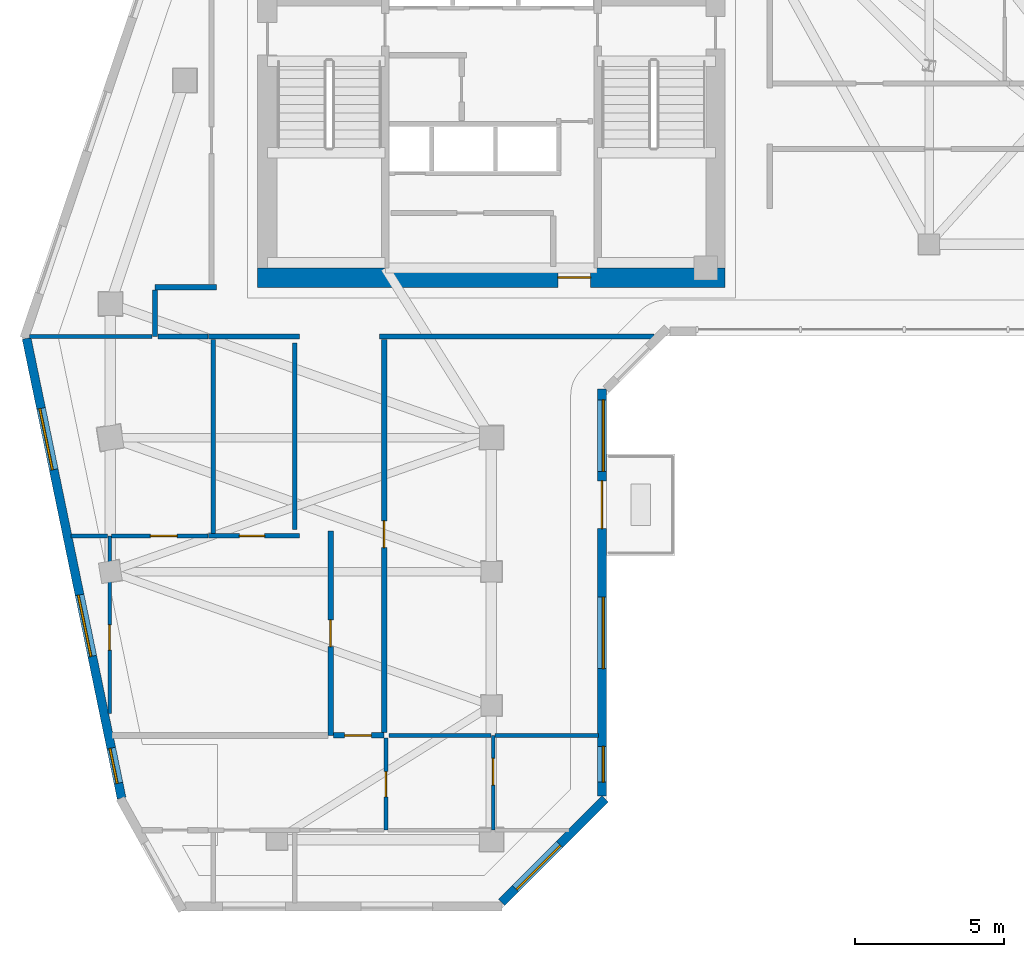
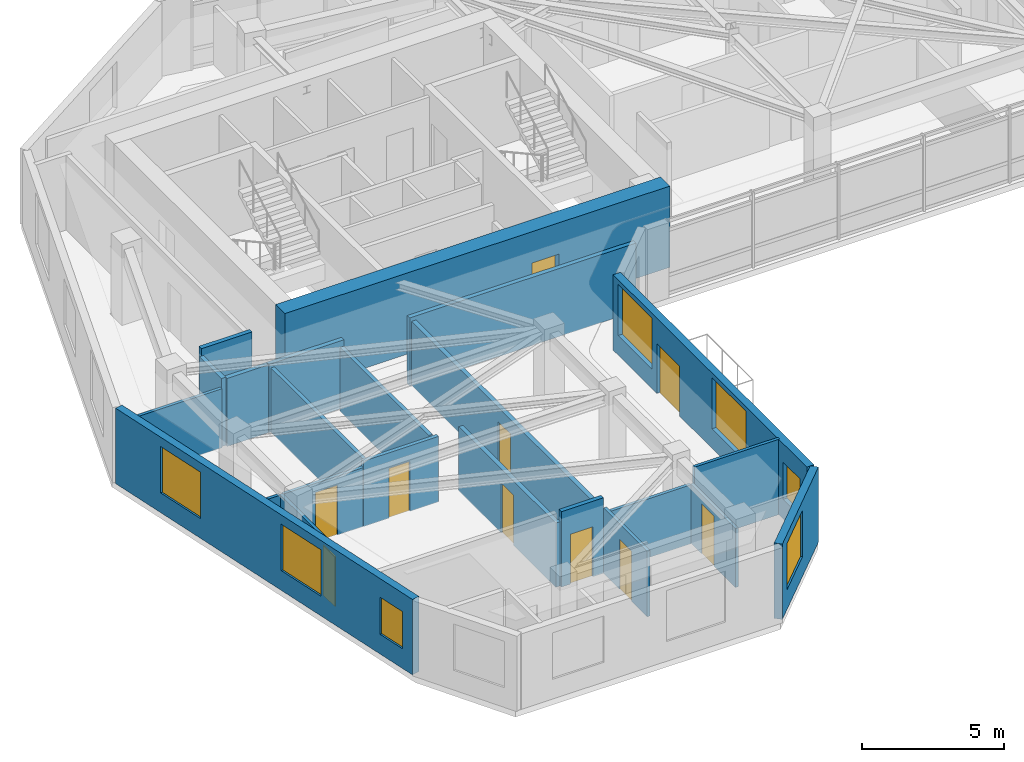
# One storey, part 4 of 10: 23 walls, 10 doors, 7 windows, 17 openings.
"""IFC4 building model written with IfcOpenShell, lengths in metres."""

from ifc_helpers import new_model, si_unit, direction, frame, frame_2d, origin, place, context, subcontext, project, spatial, rectangle, extrude, source, transform, mapped, material, layer, layer_set, type_object, element, fill, save


model = new_model("IFC4")

# Units and contexts
model_context = context("Model", 3, precision=1e-05, world=origin(), true_north=direction((0.0, 1.0)))
body_context = subcontext(model_context, "Body", "Model", "MODEL_VIEW")
ifc_project = project(units=[si_unit("LENGTHUNIT", "METRE"), si_unit("AREAUNIT", "SQUARE_METRE"), si_unit("VOLUMEUNIT", "CUBIC_METRE"), si_unit("PLANEANGLEUNIT", "RADIAN"), si_unit("MASSUNIT", "GRAM", prefix="KILO")], contexts=[model_context])

# Site, building, storey
site_placement = place(None, origin())
site = spatial("IfcSite", under=ifc_project, at=site_placement, CompositionType="ELEMENT")
building_placement = place(site_placement, origin())
building = spatial("IfcBuilding", under=site, at=building_placement, Name="Calvemar Wedge Station Tower", CompositionType="ELEMENT")
storey_placement = place(building_placement, frame((0.0, 0.0, 200.89990234375)))
storey = spatial("IfcBuildingStorey", under=building, at=storey_placement, Name="L50", CompositionType="ELEMENT", Elevation=200.89990234375)

# Wall, opening, door
ifc_material_1 = material(Name="Concrete C60", Category="concrete")
ifc_layer_1 = layer(ifc_material_1, 0.64990234375)
ifc_layer_set_1 = layer_set([ifc_layer_1], Name="Concrete C60")
wall_type_1 = type_object("IfcWallType", Name="SW-CORE-650", PredefinedType="SHEAR", material=ifc_layer_set_1)
wall_1_placement = place(storey_placement, frame((15.949951171875, 33.875, 0.0), z_axis=(0.0, 0.0, 1.0), x_axis=(1.0, 0.0, 0.0)))
wall_1 = element("IfcWall", 1, at=wall_1_placement, inside=storey, type_object=wall_type_1, Name="Storey L50 Core Shear Wall S", PredefinedType="SHEAR", context=body_context, shape_type="SweptSolid", body=[
    extrude(rectangle(XDim=15.699951171875, YDim=0.64990234375, at=frame_2d((7.85009765625, 0.0))), origin(), (0.0, 0.0, 1.0), 3.5),
])
shared_shape_1 = source(origin(), body_context, "Body", "SweptSolid", [
    extrude(rectangle(XDim=1.10009765625, YDim=2.14990234375, at=frame_2d((0.550048828125, 1.074951171875))), frame((0.0, 0.3349609375, 0.0), z_axis=(0.0, -1.0, 0.0), x_axis=(1.0, 0.0, 0.0)), (0.0, 0.0, 1.0), 0.669921875),
])
opening_1_placement = place(wall_1_placement, frame((10.080078125, 0.0, 0.0)))
opening_1 = element("IfcOpeningElement", 2, at=opening_1_placement, cuts=wall_1, Name="Opening FD-90", PredefinedType="OPENING", context=body_context, shape_type="MappedRepresentation", body=[
    mapped(shared_shape_1, transform((0.0, 0.0, 0.0), scale=1.0)),
])
ifc_material_2 = material(Name="Galvanized fire-rated steel door leaf P-90", Category="steel")
door_type_1 = type_object("IfcDoorType", Name="DR-FD90-1100", OperationType="NOTDEFINED", PredefinedType="DOOR", material=ifc_material_2)
shared_shape_2 = source(origin(), body_context, "Body", "SweptSolid", [
    extrude(rectangle(XDim=1.10009765625, YDim=2.14990234375, at=frame_2d((0.550048828125, 1.074951171875))), frame((0.0, 0.02490234375, 0.0), z_axis=(0.0, -1.0, 0.0), x_axis=(1.0, 0.0, 0.0)), (0.0, 0.0, 1.0), 0.050048828125),
])
door_1_placement = place(opening_1_placement, origin())
door_1 = element("IfcDoor", 3, at=door_1_placement, inside=storey, type_object=door_type_1, Name="L50 Passenger Lift Lobby Door", OperationType="SINGLE_SWING_LEFT", OverallHeight=2.14990234375, OverallWidth=1.10009765625, PredefinedType="DOOR", context=body_context, shape_type="MappedRepresentation", body=[
    mapped(shared_shape_2, transform((0.0, 0.0, 0.0), scale=1.0)),
])
fill(opening_1, door_1)

# Walls
ifc_material_3 = material(Name="Double-stud fire-rated corridor partition")
ifc_layer_2 = layer(ifc_material_3, 0.179931640625)
ifc_layer_set_2 = layer_set([ifc_layer_2], Name="Double-stud fire-rated corridor partition")
wall_type_2 = type_object("IfcWallType", Name="W-CORR-180", PredefinedType="PARTITIONING", material=ifc_layer_set_2)
wall_2_placement = place(storey_placement, frame((12.5, 33.550048828125, 0.0), z_axis=(0.0, 0.0, 1.0), x_axis=(1.0, 0.0, 0.0)))
element("IfcWall", 4, at=wall_2_placement, inside=storey, type_object=wall_type_2, Name="Storey L50 Interior Partition WL-L50-006", PredefinedType="PARTITIONING", context=body_context, shape_type="SweptSolid", body=[
    extrude(rectangle(XDim=2.06005859375, YDim=0.179931640625, at=frame_2d((1.030029296875, 0.0))), origin(), (0.0, 0.0, 1.0), 3.25),
])
wall_3_placement = place(storey_placement, frame((12.5, 31.89990234375, 0.0), z_axis=(0.0, 0.0, 1.0), x_axis=(0.0, 1.0, 0.0)))
element("IfcWall", 5, at=wall_3_placement, inside=storey, type_object=wall_type_2, Name="Storey L50 Interior Partition WL-L50-007", PredefinedType="PARTITIONING", context=body_context, shape_type="SweptSolid", body=[
    extrude(rectangle(XDim=1.55615234375, YDim=0.179931640625, at=frame_2d((0.778076171875, 0.0))), origin(), (0.0, 0.0, 1.0), 2.93408203125),
])
wall_4_placement = place(storey_placement, frame((17.360107421875, 31.89990234375, 0.0), z_axis=(0.0, 0.0, 1.0), x_axis=(-1.0, 0.0, 0.0)))
element("IfcWall", 6, at=wall_4_placement, inside=storey, type_object=wall_type_2, Name="Storey L50 Interior Partition WL-L50-008", PredefinedType="PARTITIONING", context=body_context, shape_type="SweptSolid", body=[
    extrude(rectangle(XDim=3.070068359375, YDim=0.179931640625, at=frame_2d((1.53515625, 0.0))), origin(), (0.0, 0.0, 1.0), 2.93408203125),
])
wall_5_placement = place(storey_placement, frame((14.2880859375, 31.89990234375, 0.0), z_axis=(0.0, 0.0, 1.0), x_axis=(-1.0, 0.0, 0.0)))
element("IfcWall", 7, at=wall_5_placement, inside=storey, type_object=wall_type_2, Name="Storey L50 Interior Partition WL-L50-009", PredefinedType="PARTITIONING", context=body_context, shape_type="SweptSolid", body=[
    extrude(rectangle(XDim=1.694091796875, YDim=0.179931640625, at=frame_2d((0.84716796875, 0.0))), origin(), (0.0, 0.0, 1.0), 2.93408203125),
])
wall_6_placement = place(storey_placement, frame((29.26513671875, 31.89990234375, 0.0), z_axis=(0.0, 0.0, 1.0), x_axis=(-1.0, 0.0, 0.0)))
element("IfcWall", 8, at=wall_6_placement, inside=storey, type_object=wall_type_2, Name="Storey L50 Interior Partition WL-L50-010", PredefinedType="PARTITIONING", context=body_context, shape_type="SweptSolid", body=[
    extrude(rectangle(XDim=9.22509765625, YDim=0.179931640625, at=frame_2d((4.612548828125, 0.0))), origin(), (0.0, 0.0, 1.0), 2.93408203125),
])

# Wall, opening, door
wall_7_placement = place(storey_placement, frame((18.39990234375, 18.5, 0.0), z_axis=(0.0, 0.0, 1.0), x_axis=(0.0, 1.0, 0.0)))
wall_7 = element("IfcWall", 9, at=wall_7_placement, inside=storey, type_object=wall_type_2, Name="Storey L50 Interior Partition WL-L50-050", PredefinedType="PARTITIONING", context=body_context, shape_type="SweptSolid", body=[
    extrude(rectangle(XDim=6.860107421875, YDim=0.179931640625, at=frame_2d((3.43017578125, 0.0))), origin(), (0.0, 0.0, 1.0), 2.76611328125),
])
shared_shape_3 = source(origin(), body_context, "Body", "SweptSolid", [
    extrude(rectangle(XDim=0.89990234375, YDim=2.14990234375, at=frame_2d((0.449951171875, 1.074951171875))), frame((0.0, 0.10009765625, 0.0), z_axis=(0.0, -1.0, 0.0), x_axis=(1.0, 0.0, 0.0)), (0.0, 0.0, 1.0), 0.199951171875),
])
opening_2_placement = place(wall_7_placement, frame((2.97998046875, 0.0, 0.0)))
opening_2 = element("IfcOpeningElement", 10, at=opening_2_placement, cuts=wall_7, Name="Opening FD-60", PredefinedType="OPENING", context=body_context, shape_type="MappedRepresentation", body=[
    mapped(shared_shape_3, transform((0.0, 0.0, 0.0), scale=1.0)),
])
ifc_material_4 = material(Name="Fire-rated acoustic timber-core entrance door EI 60", Category="wood")
door_type_2 = type_object("IfcDoorType", Name="DR-FD60-900", OperationType="NOTDEFINED", PredefinedType="DOOR", material=ifc_material_4)
shared_shape_4 = source(origin(), body_context, "Body", "SweptSolid", [
    extrude(rectangle(XDim=0.89990234375, YDim=2.14990234375, at=frame_2d((0.449951171875, 1.074951171875))), frame((0.0, 0.02490234375, 0.0), z_axis=(0.0, -1.0, 0.0), x_axis=(1.0, 0.0, 0.0)), (0.0, 0.0, 1.0), 0.050048828125),
])
door_2_placement = place(opening_2_placement, origin())
door_2 = element("IfcDoor", 11, at=door_2_placement, inside=storey, type_object=door_type_2, Name="L50 Living Dining Door", OperationType="SINGLE_SWING_LEFT", OverallHeight=2.14990234375, OverallWidth=0.89990234375, PredefinedType="DOOR", context=body_context, shape_type="MappedRepresentation", body=[
    mapped(shared_shape_4, transform((0.0, 0.0, 0.0), scale=1.0)),
])
fill(opening_2, door_2)

wall_8_placement = place(storey_placement, frame((20.199951171875, 18.5, 0.0), z_axis=(0.0, 0.0, 1.0), x_axis=(-1.0, 0.0, 0.0)))
wall_8 = element("IfcWall", 12, at=wall_8_placement, inside=storey, type_object=wall_type_2, Name="Storey L50 Interior Partition WL-L50-051", PredefinedType="PARTITIONING", context=body_context, shape_type="SweptSolid", body=[
    extrude(rectangle(XDim=1.7060546875, YDim=0.179931640625, at=frame_2d((0.85302734375, 0.0))), origin(), (0.0, 0.0, 1.0), 3.25),
])
opening_3_placement = place(wall_8_placement, frame((0.43359375, 0.0, 0.0)))
opening_3 = element("IfcOpeningElement", 13, at=opening_3_placement, cuts=wall_8, Name="Opening FD-60", PredefinedType="OPENING", context=body_context, shape_type="MappedRepresentation", body=[
    mapped(shared_shape_3, transform((0.0, 0.0, 0.0), scale=1.0)),
])
door_3_placement = place(opening_3_placement, origin())
door_3 = element("IfcDoor", 14, at=door_3_placement, inside=storey, type_object=door_type_2, Name="L50 Living Dining Door", OperationType="SINGLE_SWING_RIGHT", OverallHeight=2.14990234375, OverallWidth=0.89990234375, PredefinedType="DOOR", context=body_context, shape_type="MappedRepresentation", body=[
    mapped(shared_shape_4, transform((0.0, 0.0, 0.0), scale=1.0)),
])
fill(opening_3, door_3)

wall_9_placement = place(storey_placement, frame((20.199951171875, 31.805908203125, 0.0), z_axis=(0.0, 0.0, 1.0), x_axis=(0.0, -1.0, 0.0)))
wall_9 = element("IfcWall", 15, at=wall_9_placement, inside=storey, type_object=wall_type_2, Name="Storey L50 Interior Partition WL-L50-052", PredefinedType="PARTITIONING", context=body_context, shape_type="SweptSolid", body=[
    extrude(rectangle(XDim=13.2119140625, YDim=0.179931640625, at=frame_2d((6.60595703125, 0.0))), origin(), (0.0, 0.0, 1.0), 2.76611328125),
])
opening_4_placement = place(wall_9_placement, frame((6.095458984375, 0.0, 0.0)))
opening_4 = element("IfcOpeningElement", 16, at=opening_4_placement, cuts=wall_9, Name="Opening D-01", PredefinedType="OPENING", context=body_context, shape_type="MappedRepresentation", body=[
    mapped(shared_shape_3, transform((0.0, 0.0, 0.0), scale=1.0)),
])
ifc_material_5 = material(Name="Architectural hardwood acoustic swing door", Category="wood")
door_type_3 = type_object("IfcDoorType", Name="DR-INT-900", OperationType="NOTDEFINED", PredefinedType="DOOR", material=ifc_material_5)
shared_shape_5 = source(origin(), body_context, "Body", "SweptSolid", [
    extrude(rectangle(XDim=0.89990234375, YDim=2.14990234375, at=frame_2d((0.449951171875, 1.074951171875))), frame((0.0, 0.02490234375, 0.0), z_axis=(0.0, -1.0, 0.0), x_axis=(1.0, 0.0, 0.0)), (0.0, 0.0, 1.0), 0.050048828125),
])
door_4_placement = place(opening_4_placement, origin())
door_4 = element("IfcDoor", 17, at=door_4_placement, inside=storey, type_object=door_type_3, Name="L50 Resident Study Lounge Door", OperationType="SINGLE_SWING_LEFT", OverallHeight=2.14990234375, OverallWidth=0.89990234375, PredefinedType="DOOR", context=body_context, shape_type="MappedRepresentation", body=[
    mapped(shared_shape_5, transform((0.0, 0.0, 0.0), scale=1.0)),
])
fill(opening_4, door_4)

# Wall, opening, window
ifc_material_6 = material(Name="Precast concrete C45", Category="concrete")
ifc_layer_3 = layer(ifc_material_6, 0.300048828125)
ifc_layer_set_3 = layer_set([ifc_layer_3], Name="Precast concrete C45")
wall_type_3 = type_object("IfcWallType", Name="W-EXT-GFRC-300", PredefinedType="SOLIDWALL", material=ifc_layer_set_3)
wall_10_placement = place(storey_placement, frame((24.139892578125, 12.887939453125, 0.0), z_axis=(0.0, 0.0, 1.0), x_axis=(0.707106781187, 0.707106781187, 0.0)))
wall_10 = element("IfcWall", 18, at=wall_10_placement, inside=storey, type_object=wall_type_3, Name="Storey L50 Bronze GFRC Exterior Wall 3", PredefinedType="SOLIDWALL", context=body_context, shape_type="SweptSolid", body=[
    extrude(rectangle(XDim=4.921875, YDim=0.300048828125, at=frame_2d((2.4609375, 0.0))), origin(), (0.0, 0.0, 1.0), 3.25),
])
shared_shape_6 = source(origin(), body_context, "Body", "SweptSolid", [
    extrude(rectangle(XDim=2.10009765625, YDim=2.0, at=frame_2d((1.050048828125, 1.0))), frame((0.0, 0.16015625, 0.0), z_axis=(0.0, -1.0, 0.0), x_axis=(1.0, 0.0, 0.0)), (0.0, 0.0, 1.0), 0.320068359375),
])
opening_5_placement = place(wall_10_placement, frame((0.658935546875, 0.0, 0.85009765625)))
opening_5 = element("IfcOpeningElement", 19, at=opening_5_placement, cuts=wall_10, Name="Opening W4", PredefinedType="OPENING", context=body_context, shape_type="MappedRepresentation", body=[
    mapped(shared_shape_6, transform((0.0, 0.0, 0.0), scale=1.0)),
])
ifc_material_7 = material(Name="Low-E laminated insulated glass", Category="glass")
window_type_1 = type_object("IfcWindowType", Name="WIN-EXT-4", PartitioningType="SINGLE_PANEL", PredefinedType="WINDOW", material=ifc_material_7)
shared_shape_7 = source(origin(), body_context, "Body", "SweptSolid", [
    extrude(rectangle(XDim=2.10009765625, YDim=2.0, at=frame_2d((1.050048828125, 1.0))), frame((0.0, -0.014892578125, 0.0), z_axis=(0.0, -1.0, 0.0), x_axis=(1.0, 0.0, 0.0)), (0.0, 0.0, 1.0), 0.06005859375),
])
window_1_placement = place(opening_5_placement, origin())
window_1 = element("IfcWindow", 20, at=window_1_placement, inside=storey, type_object=window_type_1, Name="Storey L50 Recessed Window 3.1", OverallHeight=2.0, OverallWidth=2.10009765625, PartitioningType="SINGLE_PANEL", PredefinedType="WINDOW", context=body_context, shape_type="MappedRepresentation", body=[
    mapped(shared_shape_7, transform((0.0, 0.0, 0.0), scale=1.0)),
])
fill(opening_5, window_1)

# Wall, openings, windows, door
wall_11_placement = place(storey_placement, frame((27.513916015625, 16.457275390625, 0.0), z_axis=(0.0, 0.0, 1.0), x_axis=(0.0, 1.0, 0.0)))
wall_11 = element("IfcWall", 21, at=wall_11_placement, inside=storey, type_object=wall_type_3, Name="Storey L50 Bronze GFRC Exterior Wall 4", PredefinedType="SOLIDWALL", context=body_context, shape_type="SweptSolid", body=[
    extrude(rectangle(XDim=13.6787109375, YDim=0.300048828125, at=frame_2d((6.83935546875, 0.0))), origin(), (0.0, 0.0, 1.0), 3.25),
])
shared_shape_8 = source(origin(), body_context, "Body", "SweptSolid", [
    extrude(rectangle(XDim=1.60009765625, YDim=2.14990234375, at=frame_2d((0.800048828125, 1.074951171875))), frame((0.0, 0.16015625, 0.0), z_axis=(0.0, -1.0, 0.0), x_axis=(1.0, 0.0, 0.0)), (0.0, 0.0, 1.0), 0.320068359375),
])
opening_6_placement = place(wall_11_placement, frame((8.992919921875, 0.0, 0.0)))
opening_6 = element("IfcOpeningElement", 22, at=opening_6_placement, cuts=wall_11, Name="Opening DT1", PredefinedType="OPENING", context=body_context, shape_type="MappedRepresentation", body=[
    mapped(shared_shape_8, transform((0.0, 0.0, 0.0), scale=1.0)),
])
shared_shape_9 = source(origin(), body_context, "Body", "SweptSolid", [
    extrude(rectangle(XDim=1.199951171875, YDim=1.60009765625, at=frame_2d((0.60009765625, 0.800048828125))), frame((0.0, 0.16015625, 0.0), z_axis=(0.0, -1.0, 0.0), x_axis=(1.0, 0.0, 0.0)), (0.0, 0.0, 1.0), 0.320068359375),
])
opening_7_placement = place(wall_11_placement, frame((0.470947265625, 0.0, 0.85009765625)))
opening_7 = element("IfcOpeningElement", 23, at=opening_7_placement, cuts=wall_11, Name="Opening W5", PredefinedType="OPENING", context=body_context, shape_type="MappedRepresentation", body=[
    mapped(shared_shape_9, transform((0.0, 0.0, 0.0), scale=1.0)),
])
shared_shape_10 = source(origin(), body_context, "Body", "SweptSolid", [
    extrude(rectangle(XDim=2.39990234375, YDim=2.199951171875, at=frame_2d((1.199951171875, 1.10009765625))), frame((0.0, 0.16015625, 0.0), z_axis=(0.0, -1.0, 0.0), x_axis=(1.0, 0.0, 0.0)), (0.0, 0.0, 1.0), 0.320068359375),
])
opening_8_placement = place(wall_11_placement, frame((4.2880859375, 0.0, 0.85009765625)))
opening_8 = element("IfcOpeningElement", 24, at=opening_8_placement, cuts=wall_11, Name="Opening W1", PredefinedType="OPENING", context=body_context, shape_type="MappedRepresentation", body=[
    mapped(shared_shape_10, transform((0.0, 0.0, 0.0), scale=1.0)),
])
opening_9_placement = place(wall_11_placement, frame((10.916015625, 0.0, 0.85009765625)))
opening_9 = element("IfcOpeningElement", 25, at=opening_9_placement, cuts=wall_11, Name="Opening W1", PredefinedType="OPENING", context=body_context, shape_type="MappedRepresentation", body=[
    mapped(shared_shape_10, transform((0.0, 0.0, 0.0), scale=1.0)),
])
window_type_2 = type_object("IfcWindowType", Name="WIN-EXT-1", PartitioningType="SINGLE_PANEL", PredefinedType="WINDOW", material=ifc_material_7)
shared_shape_11 = source(origin(), body_context, "Body", "SweptSolid", [
    extrude(rectangle(XDim=2.39990234375, YDim=2.199951171875, at=frame_2d((1.199951171875, 1.10009765625))), frame((0.0, -0.014892578125, 0.0), z_axis=(0.0, -1.0, 0.0), x_axis=(1.0, 0.0, 0.0)), (0.0, 0.0, 1.0), 0.06005859375),
])
window_2_placement = place(opening_8_placement, origin())
window_2 = element("IfcWindow", 26, at=window_2_placement, inside=storey, type_object=window_type_2, Name="Storey L50 Recessed Window 4.2", OverallHeight=2.199951171875, OverallWidth=2.39990234375, PartitioningType="SINGLE_PANEL", PredefinedType="WINDOW", context=body_context, shape_type="MappedRepresentation", body=[
    mapped(shared_shape_11, transform((0.0, 0.0, 0.0), scale=1.0)),
])
fill(opening_8, window_2)
window_3_placement = place(opening_9_placement, origin())
window_3 = element("IfcWindow", 27, at=window_3_placement, inside=storey, type_object=window_type_2, Name="Storey L50 Recessed Window 4.3", OverallHeight=2.199951171875, OverallWidth=2.39990234375, PartitioningType="SINGLE_PANEL", PredefinedType="WINDOW", context=body_context, shape_type="MappedRepresentation", body=[
    mapped(shared_shape_11, transform((0.0, 0.0, 0.0), scale=1.0)),
])
fill(opening_9, window_3)
ifc_material_8 = material(Name="Anodised aluminium 6063-T6", Category="aluminium")
door_type_4 = type_object("IfcDoorType", Name="DR-TERR-1600", OperationType="DOUBLE_DOOR_SLIDING", PredefinedType="DOOR", material=ifc_material_8)
shared_shape_12 = source(origin(), body_context, "Body", "SweptSolid", [
    extrude(rectangle(XDim=1.60009765625, YDim=2.14990234375, at=frame_2d((0.800048828125, 1.074951171875))), frame((0.0, 0.02490234375, 0.0), z_axis=(0.0, -1.0, 0.0), x_axis=(1.0, 0.0, 0.0)), (0.0, 0.0, 1.0), 0.050048828125),
])
door_5_placement = place(opening_6_placement, origin())
door_5 = element("IfcDoor", 28, at=door_5_placement, inside=storey, type_object=door_type_4, Name="Storey L50 Spiral Terrace Door", OperationType="DOUBLE_DOOR_SLIDING", OverallHeight=2.14990234375, OverallWidth=1.60009765625, PredefinedType="DOOR", context=body_context, shape_type="MappedRepresentation", body=[
    mapped(shared_shape_12, transform((0.0, 0.0, 0.0), scale=1.0)),
])
fill(opening_6, door_5)
window_type_3 = type_object("IfcWindowType", Name="WIN-EXT-5", PartitioningType="SINGLE_PANEL", PredefinedType="WINDOW", material=ifc_material_7)
shared_shape_13 = source(origin(), body_context, "Body", "SweptSolid", [
    extrude(rectangle(XDim=1.199951171875, YDim=1.60009765625, at=frame_2d((0.60009765625, 0.800048828125))), frame((0.0, -0.014892578125, 0.0), z_axis=(0.0, -1.0, 0.0), x_axis=(1.0, 0.0, 0.0)), (0.0, 0.0, 1.0), 0.06005859375),
])
window_4_placement = place(opening_7_placement, origin())
window_4 = element("IfcWindow", 29, at=window_4_placement, inside=storey, type_object=window_type_3, Name="Storey L50 Recessed Window 4.1", OverallHeight=1.60009765625, OverallWidth=1.199951171875, PartitioningType="SINGLE_PANEL", PredefinedType="WINDOW", context=body_context, shape_type="MappedRepresentation", body=[
    mapped(shared_shape_13, transform((0.0, 0.0, 0.0), scale=1.0)),
])
fill(opening_7, window_4)

# Wall, openings, windows
wall_12_placement = place(storey_placement, frame((8.1875, 31.833984375, 0.0), z_axis=(0.0, 0.0, 1.0), x_axis=(0.202303475707, -0.979322880217, 0.0)))
wall_12 = element("IfcWall", 30, at=wall_12_placement, inside=storey, type_object=wall_type_3, Name="Storey L50 Bronze GFRC Exterior Wall 13", PredefinedType="SOLIDWALL", context=body_context, shape_type="SweptSolid", body=[
    extrude(rectangle(XDim=15.765625, YDim=0.300048828125, at=frame_2d((7.8828125, 0.0))), origin(), (0.0, 0.0, 1.0), 3.25),
])
opening_10_placement = place(wall_12_placement, frame((2.39892578125, 0.0, 0.85009765625)))
opening_10 = element("IfcOpeningElement", 31, at=opening_10_placement, cuts=wall_12, Name="Opening W4", PredefinedType="OPENING", context=body_context, shape_type="MappedRepresentation", body=[
    mapped(shared_shape_6, transform((0.0, 0.0, 0.0), scale=1.0)),
])
opening_11_placement = place(wall_12_placement, frame((8.798095703125, 0.0, 0.85009765625)))
opening_11 = element("IfcOpeningElement", 32, at=opening_11_placement, cuts=wall_12, Name="Opening W4", PredefinedType="OPENING", context=body_context, shape_type="MappedRepresentation", body=[
    mapped(shared_shape_6, transform((0.0, 0.0, 0.0), scale=1.0)),
])
opening_12_placement = place(wall_12_placement, frame((14.052001953125, 0.0, 0.85009765625)))
opening_12 = element("IfcOpeningElement", 33, at=opening_12_placement, cuts=wall_12, Name="Opening W5", PredefinedType="OPENING", context=body_context, shape_type="MappedRepresentation", body=[
    mapped(shared_shape_9, transform((0.0, 0.0, 0.0), scale=1.0)),
])
window_5_placement = place(opening_10_placement, origin())
window_5 = element("IfcWindow", 34, at=window_5_placement, inside=storey, type_object=window_type_1, Name="Storey L50 Recessed Window 13.1", OverallHeight=2.0, OverallWidth=2.10009765625, PartitioningType="SINGLE_PANEL", PredefinedType="WINDOW", context=body_context, shape_type="MappedRepresentation", body=[
    mapped(shared_shape_7, transform((0.0, 0.0, 0.0), scale=1.0)),
])
fill(opening_10, window_5)
window_6_placement = place(opening_11_placement, origin())
window_6 = element("IfcWindow", 35, at=window_6_placement, inside=storey, type_object=window_type_1, Name="Storey L50 Recessed Window 13.2", OverallHeight=2.0, OverallWidth=2.10009765625, PartitioningType="SINGLE_PANEL", PredefinedType="WINDOW", context=body_context, shape_type="MappedRepresentation", body=[
    mapped(shared_shape_7, transform((0.0, 0.0, 0.0), scale=1.0)),
])
fill(opening_11, window_6)
window_7_placement = place(opening_12_placement, origin())
window_7 = element("IfcWindow", 36, at=window_7_placement, inside=storey, type_object=window_type_3, Name="Storey L50 Recessed Window 13.3", OverallHeight=1.60009765625, OverallWidth=1.199951171875, PartitioningType="SINGLE_PANEL", PredefinedType="WINDOW", context=body_context, shape_type="MappedRepresentation", body=[
    mapped(shared_shape_13, transform((0.0, 0.0, 0.0), scale=1.0)),
])
fill(opening_12, window_7)

# Wall
ifc_material_9 = material(Name="Insulated acoustic gypsum stud partition")
ifc_layer_4 = layer(ifc_material_9, 0.125)
ifc_layer_set_4 = layer_set([ifc_layer_4], Name="Insulated acoustic gypsum stud partition")
wall_type_4 = type_object("IfcWallType", Name="W-PART-125", PredefinedType="PARTITIONING", material=ifc_layer_set_4)
wall_13_placement = place(storey_placement, frame((12.406005859375, 31.89990234375, 0.0), z_axis=(0.0, 0.0, 1.0), x_axis=(-1.0, 0.0, 0.0)))
element("IfcWall", 37, at=wall_13_placement, inside=storey, type_object=wall_type_4, Name="Storey L50 Interior Partition WL-L50-020", PredefinedType="PARTITIONING", context=body_context, shape_type="SweptSolid", body=[
    extrude(rectangle(XDim=4.11474609375, YDim=0.125, at=frame_2d((2.057373046875, 0.0))), origin(), (0.0, 0.0, 1.0), 2.5419921875),
])

# Wall, opening, door
wall_14_placement = place(storey_placement, frame((10.97802734375, 19.240234375, 0.0), z_axis=(0.0, 0.0, 1.0), x_axis=(0.0, 1.0, 0.0)))
wall_14 = element("IfcWall", 38, at=wall_14_placement, inside=storey, type_object=wall_type_4, Name="Storey L50 Interior Partition WL-L50-053", PredefinedType="PARTITIONING", context=body_context, shape_type="SweptSolid", body=[
    extrude(rectangle(XDim=5.959716796875, YDim=0.125, at=frame_2d((2.97998046875, 0.0))), origin(), (0.0, 0.0, 1.0), 2.5419921875),
])
shared_shape_14 = source(origin(), body_context, "Body", "SweptSolid", [
    extrude(rectangle(XDim=0.85009765625, YDim=2.14990234375, at=frame_2d((0.425048828125, 1.074951171875))), frame((0.0, 0.072509765625, 0.0), z_axis=(0.0, -1.0, 0.0), x_axis=(1.0, 0.0, 0.0)), (0.0, 0.0, 1.0), 0.14501953125),
])
opening_13_placement = place(wall_14_placement, frame((2.12451171875, 0.0, 0.0)))
opening_13 = element("IfcOpeningElement", 39, at=opening_13_placement, cuts=wall_14, Name="Opening D-02", PredefinedType="OPENING", context=body_context, shape_type="MappedRepresentation", body=[
    mapped(shared_shape_14, transform((0.0, 0.0, 0.0), scale=1.0)),
])
ifc_material_10 = material(Name="Moisture-sealed bathroom hardwood swing door", Category="wood")
door_type_5 = type_object("IfcDoorType", Name="DR-WET-850", OperationType="NOTDEFINED", PredefinedType="DOOR", material=ifc_material_10)
shared_shape_15 = source(origin(), body_context, "Body", "SweptSolid", [
    extrude(rectangle(XDim=0.85009765625, YDim=2.14990234375, at=frame_2d((0.425048828125, 1.074951171875))), frame((0.0, 0.02490234375, 0.0), z_axis=(0.0, -1.0, 0.0), x_axis=(1.0, 0.0, 0.0)), (0.0, 0.0, 1.0), 0.050048828125),
])
door_6_placement = place(opening_13_placement, origin())
door_6 = element("IfcDoor", 40, at=door_6_placement, inside=storey, type_object=door_type_5, Name="L50 Kitchen Door", OperationType="SINGLE_SWING_RIGHT", OverallHeight=2.14990234375, OverallWidth=0.85009765625, PredefinedType="DOOR", context=body_context, shape_type="MappedRepresentation", body=[
    mapped(shared_shape_15, transform((0.0, 0.0, 0.0), scale=1.0)),
])
fill(opening_13, door_6)

wall_15_placement = place(storey_placement, frame((11.04443359375, 25.199951171875, 0.0), z_axis=(0.0, 0.0, 1.0), x_axis=(1.0, 0.0, 0.0)))
wall_15 = element("IfcWall", 41, at=wall_15_placement, inside=storey, type_object=wall_type_4, Name="Storey L50 Interior Partition WL-L50-055", PredefinedType="PARTITIONING", context=body_context, shape_type="SweptSolid", body=[
    extrude(rectangle(XDim=3.24365234375, YDim=0.125, at=frame_2d((1.621826171875, 0.0))), origin(), (0.0, 0.0, 1.0), 2.5419921875),
])
shared_shape_16 = source(origin(), body_context, "Body", "SweptSolid", [
    extrude(rectangle(XDim=0.89990234375, YDim=2.14990234375, at=frame_2d((0.449951171875, 1.074951171875))), frame((0.0, 0.072509765625, 0.0), z_axis=(0.0, -1.0, 0.0), x_axis=(1.0, 0.0, 0.0)), (0.0, 0.0, 1.0), 0.14501953125),
])
opening_14_placement = place(wall_15_placement, frame((1.299072265625, 0.0, 0.0)))
opening_14 = element("IfcOpeningElement", 42, at=opening_14_placement, cuts=wall_15, Name="Opening D-01", PredefinedType="OPENING", context=body_context, shape_type="MappedRepresentation", body=[
    mapped(shared_shape_16, transform((0.0, 0.0, 0.0), scale=1.0)),
])
door_7_placement = place(opening_14_placement, origin())
door_7 = element("IfcDoor", 43, at=door_7_placement, inside=storey, type_object=door_type_3, Name="L50 Master Bedroom Door", OperationType="SINGLE_SWING_RIGHT", OverallHeight=2.14990234375, OverallWidth=0.89990234375, PredefinedType="DOOR", context=body_context, shape_type="MappedRepresentation", body=[
    mapped(shared_shape_5, transform((0.0, 0.0, 0.0), scale=1.0)),
])
fill(opening_14, door_7)

# Wall
wall_16_placement = place(storey_placement, frame((9.67529296875, 25.199951171875, 0.0), z_axis=(0.0, 0.0, 1.0), x_axis=(1.0, 0.0, 0.0)))
element("IfcWall", 44, at=wall_16_placement, inside=storey, type_object=wall_type_4, Name="Storey L50 Interior Partition WL-L50-057", PredefinedType="PARTITIONING", context=body_context, shape_type="SweptSolid", body=[
    extrude(rectangle(XDim=1.236328125, YDim=0.125, at=frame_2d((0.6181640625, 0.0))), origin(), (0.0, 0.0, 1.0), 2.5419921875),
])

# Wall, opening, door
wall_17_placement = place(storey_placement, frame((23.85888671875, 15.31494140625, 0.0), z_axis=(0.0, 0.0, 1.0), x_axis=(0.0, 1.0, 0.0)))
wall_17 = element("IfcWall", 45, at=wall_17_placement, inside=storey, type_object=wall_type_4, Name="Storey L50 Interior Partition WL-L50-059", PredefinedType="PARTITIONING", context=body_context, shape_type="SweptSolid", body=[
    extrude(rectangle(XDim=3.18505859375, YDim=0.125, at=frame_2d((1.592529296875, 0.0))), origin(), (0.0, 0.0, 1.0), 2.5419921875),
])
opening_15_placement = place(wall_17_placement, frame((1.51220703125, 0.0, 0.0)))
opening_15 = element("IfcOpeningElement", 46, at=opening_15_placement, cuts=wall_17, Name="Opening D-01", PredefinedType="OPENING", context=body_context, shape_type="MappedRepresentation", body=[
    mapped(shared_shape_16, transform((0.0, 0.0, 0.0), scale=1.0)),
])
door_8_placement = place(opening_15_placement, origin())
door_8 = element("IfcDoor", 47, at=door_8_placement, inside=storey, type_object=door_type_3, Name="L50 Study Door", OperationType="SINGLE_SWING_LEFT", OverallHeight=2.14990234375, OverallWidth=0.89990234375, PredefinedType="DOOR", context=body_context, shape_type="MappedRepresentation", body=[
    mapped(shared_shape_5, transform((0.0, 0.0, 0.0), scale=1.0)),
])
fill(opening_15, door_8)

# Wall
wall_18_placement = place(storey_placement, frame((23.925537109375, 18.5, 0.0), z_axis=(0.0, 0.0, 1.0), x_axis=(1.0, 0.0, 0.0)))
element("IfcWall", 48, at=wall_18_placement, inside=storey, type_object=wall_type_4, Name="Storey L50 Interior Partition WL-L50-061", PredefinedType="PARTITIONING", context=body_context, shape_type="SweptSolid", body=[
    extrude(rectangle(XDim=3.473388671875, YDim=0.125, at=frame_2d((1.73681640625, 0.0))), origin(), (0.0, 0.0, 1.0), 3.25),
])

# Wall, opening, door
wall_19_placement = place(storey_placement, frame((20.259033203125, 18.406005859375, 0.0), z_axis=(0.0, 0.0, 1.0), x_axis=(0.0, -1.0, 0.0)))
wall_19 = element("IfcWall", 49, at=wall_19_placement, inside=storey, type_object=wall_type_4, Name="Storey L50 Interior Partition WL-L50-062", PredefinedType="PARTITIONING", context=body_context, shape_type="SweptSolid", body=[
    extrude(rectangle(XDim=3.091064453125, YDim=0.125, at=frame_2d((1.54541015625, 0.0))), origin(), (0.0, 0.0, 1.0), 2.822021484375),
])
opening_16_placement = place(wall_19_placement, frame((1.12060546875, 0.0, 0.0)))
opening_16 = element("IfcOpeningElement", 50, at=opening_16_placement, cuts=wall_19, Name="Opening D-02", PredefinedType="OPENING", context=body_context, shape_type="MappedRepresentation", body=[
    mapped(shared_shape_14, transform((0.0, 0.0, 0.0), scale=1.0)),
])
door_9_placement = place(opening_16_placement, origin())
door_9 = element("IfcDoor", 51, at=door_9_placement, inside=storey, type_object=door_type_5, Name="L50 Kitchen Door", OperationType="SINGLE_SWING_LEFT", OverallHeight=2.14990234375, OverallWidth=0.85009765625, PredefinedType="DOOR", context=body_context, shape_type="MappedRepresentation", body=[
    mapped(shared_shape_15, transform((0.0, 0.0, 0.0), scale=1.0)),
])
fill(opening_16, door_9)

# Wall
wall_20_placement = place(storey_placement, frame((20.35302734375, 18.5, 0.0), z_axis=(0.0, 0.0, 1.0), x_axis=(1.0, 0.0, 0.0)))
element("IfcWall", 52, at=wall_20_placement, inside=storey, type_object=wall_type_4, Name="Storey L50 Interior Partition WL-L50-067", PredefinedType="PARTITIONING", context=body_context, shape_type="SweptSolid", body=[
    extrude(rectangle(XDim=3.439453125, YDim=0.125, at=frame_2d((1.7197265625, 0.0))), origin(), (0.0, 0.0, 1.0), 2.5419921875),
])

# Wall, opening, door
ifc_material_11 = material(Name="Moisture-resistant acoustic bathroom partition")
ifc_layer_5 = layer(ifc_material_11, 0.14990234375)
ifc_layer_set_5 = layer_set([ifc_layer_5], Name="Moisture-resistant acoustic bathroom partition")
wall_type_5 = type_object("IfcWallType", Name="W-WET-150", PredefinedType="PARTITIONING", material=ifc_layer_set_5)
wall_21_placement = place(storey_placement, frame((14.2900390625, 25.199951171875, 0.0), z_axis=(0.0, 0.0, 1.0), x_axis=(1.0, 0.0, 0.0)))
wall_21 = element("IfcWall", 53, at=wall_21_placement, inside=storey, type_object=wall_type_5, Name="Storey L50 Interior Partition WL-L50-054", PredefinedType="PARTITIONING", context=body_context, shape_type="SweptSolid", body=[
    extrude(rectangle(XDim=3.070068359375, YDim=0.14990234375, at=frame_2d((1.53515625, 0.0))), origin(), (0.0, 0.0, 1.0), 2.822021484375),
])
shared_shape_17 = source(origin(), body_context, "Body", "SweptSolid", [
    extrude(rectangle(XDim=0.85009765625, YDim=2.14990234375, at=frame_2d((0.425048828125, 1.074951171875))), frame((0.0, 0.0849609375, 0.0), z_axis=(0.0, -1.0, 0.0), x_axis=(1.0, 0.0, 0.0)), (0.0, 0.0, 1.0), 0.169921875),
])
opening_17_placement = place(wall_21_placement, frame((1.046142578125, 0.0, 0.0)))
opening_17 = element("IfcOpeningElement", 54, at=opening_17_placement, cuts=wall_21, Name="Opening D-02", PredefinedType="OPENING", context=body_context, shape_type="MappedRepresentation", body=[
    mapped(shared_shape_17, transform((0.0, 0.0, 0.0), scale=1.0)),
])
door_10_placement = place(opening_17_placement, origin())
door_10 = element("IfcDoor", 55, at=door_10_placement, inside=storey, type_object=door_type_5, Name="L50 Bathroom Door", OperationType="SINGLE_SWING_LEFT", OverallHeight=2.14990234375, OverallWidth=0.85009765625, PredefinedType="DOOR", context=body_context, shape_type="MappedRepresentation", body=[
    mapped(shared_shape_15, transform((0.0, 0.0, 0.0), scale=1.0)),
])
fill(opening_17, door_10)

# Walls
wall_22_placement = place(storey_placement, frame((14.449951171875, 25.279052734375, 0.0), z_axis=(0.0, 0.0, 1.0), x_axis=(0.0, 1.0, 0.0)))
element("IfcWall", 56, at=wall_22_placement, inside=storey, type_object=wall_type_5, Name="Storey L50 Interior Partition WL-L50-058", PredefinedType="PARTITIONING", context=body_context, shape_type="SweptSolid", body=[
    extrude(rectangle(XDim=6.52685546875, YDim=0.14990234375, at=frame_2d((3.263427734375, 0.0))), origin(), (0.0, 0.0, 1.0), 2.76611328125),
])
wall_23_placement = place(storey_placement, frame((17.199951171875, 31.679931640625, 0.0), z_axis=(0.0, 0.0, 1.0), x_axis=(0.0, -1.0, 0.0)))
element("IfcWall", 57, at=wall_23_placement, inside=storey, type_object=wall_type_5, Name="Storey L50 Bathroom Enclosure Wall WL-L50-070", PredefinedType="PARTITIONING", context=body_context, shape_type="SweptSolid", body=[
    extrude(rectangle(XDim=6.260009765625, YDim=0.14990234375, at=frame_2d((3.1298828125, 0.0))), origin(), (0.0, 0.0, 1.0), 2.76611328125),
])

save(model, "model.ifc")
